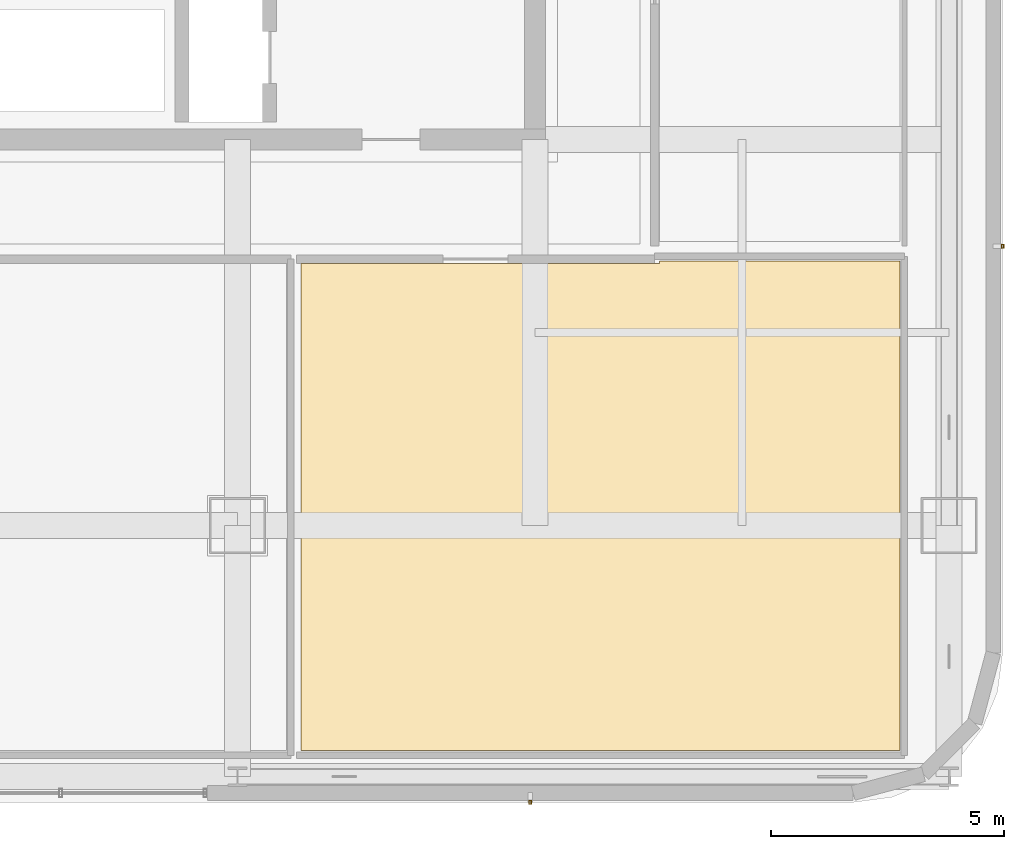
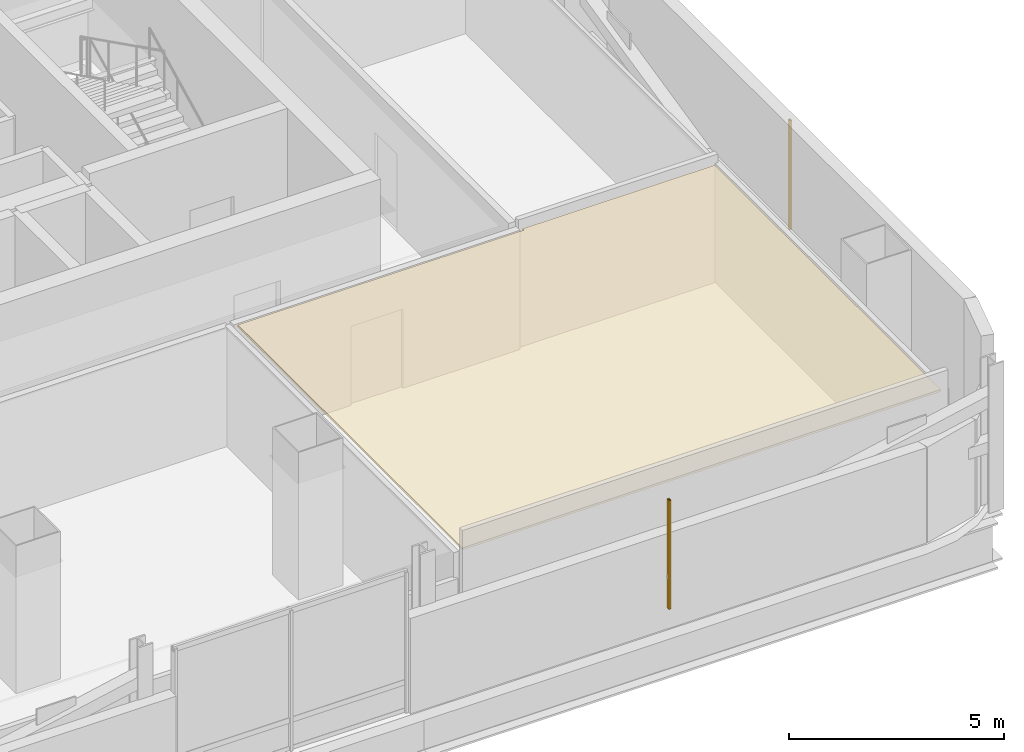
# One storey, part 24 of 28: 2 shading devices, 1 covering.
"""IFC4 building model written with IfcOpenShell, lengths in metres."""

from ifc_helpers import new_model, si_unit, direction, frame, origin, origin_2d, place, context, subcontext, project, spatial, polyline, hollow_rectangle, outline, extrude, material, layer, layer_set, material_profile, profile_set, type_object, element, save


model = new_model("IFC4")

# Units and contexts
model_context = context("Model", 3, precision=1e-05, world=origin(), true_north=direction((0.0, 1.0)))
body_context = subcontext(model_context, "Body", "Model", "MODEL_VIEW")
ifc_project = project(units=[si_unit("LENGTHUNIT", "METRE"), si_unit("AREAUNIT", "SQUARE_METRE"), si_unit("VOLUMEUNIT", "CUBIC_METRE"), si_unit("PLANEANGLEUNIT", "RADIAN"), si_unit("MASSUNIT", "GRAM", prefix="KILO")], contexts=[model_context])

# Site, building, storey
site_placement = place(None, origin())
site = spatial("IfcSite", under=ifc_project, at=site_placement, CompositionType="ELEMENT")
building_placement = place(site_placement, origin())
building = spatial("IfcBuilding", under=site, at=building_placement, Name="Punatoya Terracotta Tower", CompositionType="ELEMENT")
storey_placement = place(building_placement, frame((0.0, 0.0, 317.39990234375)))
storey = spatial("IfcBuildingStorey", under=building, at=storey_placement, Name="L75", CompositionType="ELEMENT", Elevation=317.39990234375)

# Covering
ifc_material_1 = material(Name="Acoustic Mineral Fibre Ceiling")
ifc_layer = layer(ifc_material_1, 0.06005859375)
ifc_layer_set = layer_set([ifc_layer], Name="Acoustic Mineral Fibre Ceiling")
covering_type = type_object("IfcCoveringType", Name="COV-CEIL-60", PredefinedType="CEILING", material=ifc_layer_set)
covering_placement = place(storey_placement, frame((0.0, 0.0, 3.31005859375)))
element("IfcCovering", 1, at=covering_placement, inside=storey, type_object=covering_type, Name="L75 Media Broadcast Studio Acoustic Ceiling", PredefinedType="CEILING", context=body_context, shape_type="SweptSolid", body=[
    extrude(outline(polyline([(12.8701171875, -11.8701171875), (5.16796875, -11.8701171875), (5.16796875, -22.340087890625), (18.0400390625, -22.340087890625), (18.0400390625, -11.81005859375), (12.8701171875, -11.81005859375), (12.8701171875, -11.8701171875)])), origin(), (0.0, 0.0, 1.0), 0.06005859375),
])

# Shading devices
ifc_material_2 = material(Name="Architectural Fired Terracotta", Category="masonry")
ifc_material_profile = material_profile(ifc_material_2, hollow_rectangle(XDim=0.06005859375, YDim=0.090087890625, WallThickness=0.013916015625, at=origin_2d()))
ifc_profile_set = profile_set([ifc_material_profile], Name="Architectural Fired Terracotta")
shading_device_type = type_object("IfcShadingDeviceType", Name="SHD-JALI-90", PredefinedType="JALOUSIE", material=ifc_profile_set)
for number, where, z_axis, x_axis, name in (
    (2, (10.093505859375, -23.449951171875, 0.60009765625), (0.0, 0.0, 1.0), (1.0, 0.0, 0.0), "L75 Braced Bay Terracotta Jali Fin S2"),
    (3, (20.25, -11.493408203125, 0.60009765625), (0.0, 0.0, 1.0), (1.0, 0.0, 0.0), "L75 Braced Bay Terracotta Jali Fin E1"),
):
    element("IfcShadingDevice", number, at=place(storey_placement, frame(where, z_axis=z_axis, x_axis=x_axis)), inside=storey, type_object=shading_device_type, Name=name, PredefinedType="JALOUSIE", context=body_context, shape_type="SweptSolid", body=[
        extrude(hollow_rectangle(XDim=0.06005859375, YDim=0.090087890625, WallThickness=0.013916015625, at=origin_2d()), origin(), (0.0, 0.0, 1.0), 3.10009765625),
    ])

save(model, "model.ifc")
